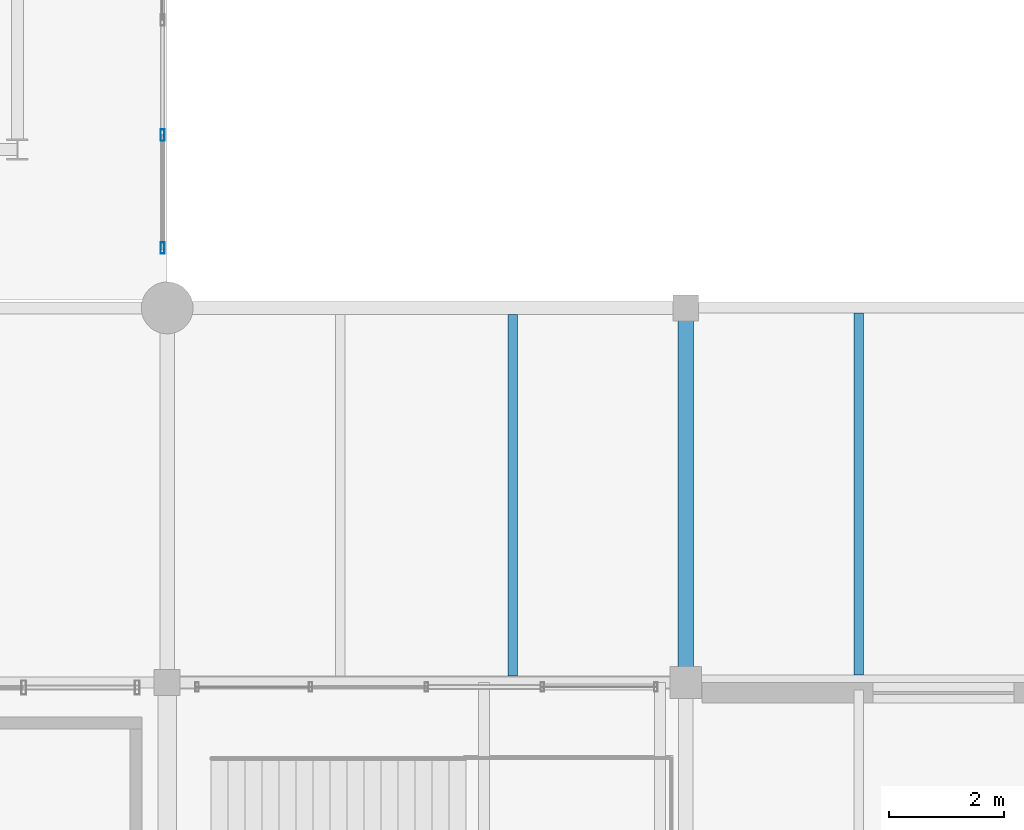
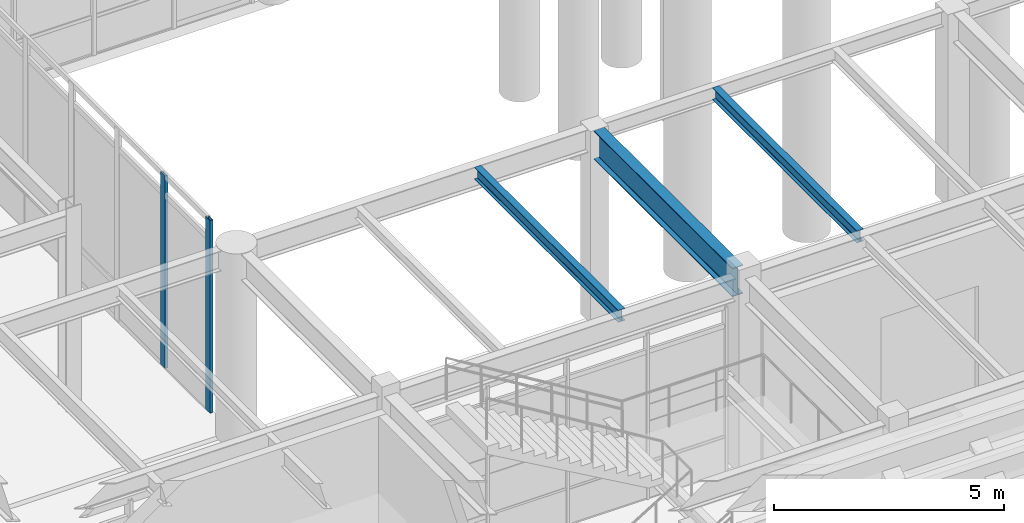
# One storey, part 77 of 203: 3 beams, 2 members, 1 element without a shape of its own.
"""IFC4 building model written with IfcOpenShell, lengths in metres."""

from ifc_helpers import new_model, si_unit, direction, frame, origin, origin_2d, place, context, subcontext, project, spatial, hollow_rectangle, i_section, extrude, material, material_profile, profile_set, type_object, element, aggregate, save


model = new_model("IFC4")

# Units and contexts
model_context = context("Model", 3, precision=1e-05, world=origin(), true_north=direction((0.0, 1.0)))
body_context = subcontext(model_context, "Body", "Model", "MODEL_VIEW")
ifc_project = project(units=[si_unit("LENGTHUNIT", "METRE"), si_unit("AREAUNIT", "SQUARE_METRE"), si_unit("VOLUMEUNIT", "CUBIC_METRE"), si_unit("PLANEANGLEUNIT", "RADIAN"), si_unit("MASSUNIT", "GRAM", prefix="KILO"), si_unit("THERMODYNAMICTEMPERATUREUNIT", "KELVIN"), si_unit("POWERUNIT", "WATT")], contexts=[model_context])

# Site, building, storey
site_placement = place(None, origin())
site = spatial("IfcSite", under=ifc_project, at=site_placement, CompositionType="ELEMENT")
building_placement = place(site_placement, origin())
building = spatial("IfcBuilding", under=site, at=building_placement, Name="Tepalcoro Natatorium and Aquatics Centre", CompositionType="ELEMENT")
storey_placement = place(building_placement, origin())
storey = spatial("IfcBuildingStorey", under=building, at=storey_placement, Name="L00", CompositionType="ELEMENT", Elevation=0.0)

# Beam
ifc_material_1 = material(Name="Steel ASTM A992 Grade 50 (Fy 345 MPa)", Category="steel")
ifc_material_profile_1 = material_profile(ifc_material_1, i_section(OverallWidth=0.26708984375, OverallDepth=0.761962890625, WebThickness=0.013916015625, FlangeThickness=0.02197265625, FilletRadius=0.013916015625, at=origin_2d()), Name="W30X116")
ifc_profile_set_1 = profile_set([ifc_material_profile_1], Name="Steel ASTM A992 Grade 50 (Fy 345 MPa)")
beam_type_1 = type_object("IfcBeamType", Name="BM_W30x116", PredefinedType="BEAM", material=ifc_profile_set_1)
beam_1_placement = place(storey_placement, frame((80.0, 65.760009765625, 4.7041015625), z_axis=(0.0, 1.0, 0.0), x_axis=(-1.0, 0.0, 0.0)))
element("IfcBeam", 1, at=beam_1_placement, inside=storey, type_object=beam_type_1, Name="V1 L00 Grid Girder Y", PredefinedType="BEAM", context=body_context, shape_type="SweptSolid", body=[
    extrude(i_section(OverallWidth=0.26708984375, OverallDepth=0.761962890625, WebThickness=0.013916015625, FlangeThickness=0.02197265625, FilletRadius=0.013916015625, at=origin_2d()), origin(), (0.0, 0.0, 1.0), 6.030029296875),
])

# Curtain wall, members
ifc_material_2 = material(Name="Bronze-Anodised Extruded Aluminium Alloy EN AW-6063 T6", Category="aluminium")
curtain_wall_type = type_object("IfcCurtainWallType", Name="CW_LINK_150", PredefinedType="USERDEFINED", material=ifc_material_2)
curtain_wall_placement = place(storey_placement, origin())
curtain_wall = element("IfcCurtainWall", 2, at=curtain_wall_placement, inside=storey, type_object=curtain_wall_type, Name="West Court Swimmers Arcade Glazed Wall E L00", ObjectType="UNITISED STOREFRONT", PredefinedType="USERDEFINED")
ifc_material_profile_2 = material_profile(ifc_material_2, hollow_rectangle(XDim=0.070068359375, YDim=0.199951171875, WallThickness=0.0048828125, at=origin_2d()), Name="AL70X200X5")
ifc_profile_set_2 = profile_set([ifc_material_profile_2], Name="Bronze-Anodised Extruded Aluminium Alloy EN AW-6063 T6")
member_type = type_object("IfcMemberType", Name="CW_MUL_70x200", PredefinedType="MULLION", material=ifc_profile_set_2)
member_1_placement = place(storey_placement, frame((70.919921875, 73.0400390625, 0.02001953125), z_axis=(0.0, 0.0, 1.0), x_axis=(1.0, 0.0, 0.0)))
member_1 = element("IfcMember", 3, at=member_1_placement, type_object=member_type, Name="CW_LINK_150 Curtain Wall Mullion", PredefinedType="MULLION", context=body_context, shape_type="SweptSolid", body=[
    extrude(hollow_rectangle(XDim=0.070068359375, YDim=0.199951171875, WallThickness=0.0048828125, at=origin_2d()), origin(), (0.0, 0.0, 1.0), 5.119873046875),
])
member_2_placement = place(storey_placement, frame((70.919921875, 75.0, 0.02001953125), z_axis=(0.0, 0.0, 1.0), x_axis=(1.0, 0.0, 0.0)))
member_2 = element("IfcMember", 4, at=member_2_placement, type_object=member_type, Name="CW_LINK_150 Curtain Wall Mullion", PredefinedType="MULLION", context=body_context, shape_type="SweptSolid", body=[
    extrude(hollow_rectangle(XDim=0.070068359375, YDim=0.199951171875, WallThickness=0.0048828125, at=origin_2d()), origin(), (0.0, 0.0, 1.0), 5.119873046875),
])
aggregate(curtain_wall, [member_1, member_2])

# Beams
ifc_material_profile_3 = material_profile(ifc_material_1, i_section(OverallWidth=0.1669921875, OverallDepth=0.318115234375, WebThickness=0.008056640625, FlangeThickness=0.012939453125, FilletRadius=0.013916015625, at=origin_2d()), Name="W12X35")
ifc_profile_set_3 = profile_set([ifc_material_profile_3], Name="Steel ASTM A992 Grade 50 (Fy 345 MPa)")
beam_type_2 = type_object("IfcBeamType", Name="JS_W12x35", PredefinedType="JOIST", material=ifc_profile_set_3)
beam_2_placement = place(storey_placement, frame((77.0, 65.614013671875, 4.926025390625), z_axis=(0.0, 1.0, 0.0), x_axis=(-1.0, 0.0, 0.0)))
element("IfcBeam", 5, at=beam_2_placement, inside=storey, type_object=beam_type_2, Name="V1 L00 Floor Joist", PredefinedType="JOIST", context=body_context, shape_type="SweptSolid", body=[
    extrude(i_section(OverallWidth=0.1669921875, OverallDepth=0.318115234375, WebThickness=0.008056640625, FlangeThickness=0.012939453125, FilletRadius=0.013916015625, at=origin_2d()), origin(), (0.0, 0.0, 1.0), 6.271484375),
])
beam_3_placement = place(storey_placement, frame((83.0, 65.626953125, 4.926025390625), z_axis=(0.0, 1.0, 0.0), x_axis=(-1.0, 0.0, 0.0)))
element("IfcBeam", 6, at=beam_3_placement, inside=storey, type_object=beam_type_2, Name="V1 L00 Floor Joist", PredefinedType="JOIST", context=body_context, shape_type="SweptSolid", body=[
    extrude(i_section(OverallWidth=0.1669921875, OverallDepth=0.318115234375, WebThickness=0.008056640625, FlangeThickness=0.012939453125, FilletRadius=0.013916015625, at=origin_2d()), origin(), (0.0, 0.0, 1.0), 6.282958984375),
])

save(model, "model.ifc")
